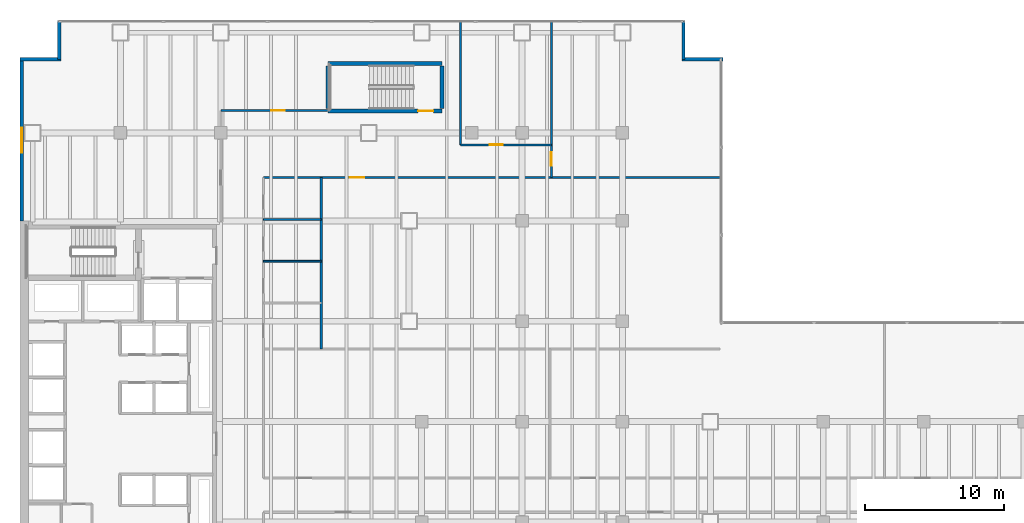
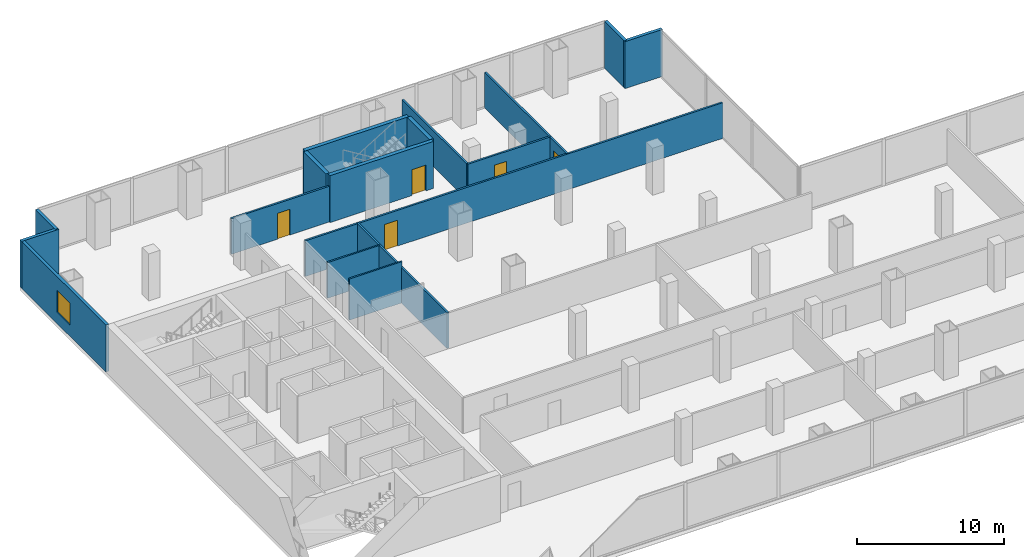
# One storey, part 25 of 29: 17 walls, 5 doors, 1 window, 6 openings.
"""IFC4 building model written with IfcOpenShell, lengths in metres."""

from ifc_helpers import new_model, si_unit, direction, frame, frame_2d, origin, place, context, subcontext, project, spatial, rectangle, extrude, material, layer, layer_set, type_object, element, fill, save


model = new_model("IFC4")

# Units and contexts
model_context = context("Model", 3, precision=1e-05, world=origin(), true_north=direction((0.0, 1.0)))
body_context = subcontext(model_context, "Body", "Model", "MODEL_VIEW")
ifc_project = project(units=[si_unit("LENGTHUNIT", "METRE"), si_unit("AREAUNIT", "SQUARE_METRE"), si_unit("VOLUMEUNIT", "CUBIC_METRE"), si_unit("PLANEANGLEUNIT", "RADIAN"), si_unit("MASSUNIT", "GRAM", prefix="KILO")], contexts=[model_context])

# Site, building, storey
site_placement = place(None, origin())
site = spatial("IfcSite", under=ifc_project, at=site_placement, CompositionType="ELEMENT")
building_placement = place(site_placement, origin())
building = spatial("IfcBuilding", under=site, at=building_placement, Name="Cobrela Telecom Tower", CompositionType="ELEMENT")
storey_placement = place(building_placement, frame((0.0, 0.0, 13.64990234375)))
storey = spatial("IfcBuildingStorey", under=building, at=storey_placement, Name="L03", CompositionType="ELEMENT", Elevation=13.64990234375)

# Wall, opening, window
ifc_material_1 = material(Name="Concrete C40/50", Category="concrete")
ifc_layer_1 = layer(ifc_material_1, 0.239990234375)
ifc_layer_set_1 = layer_set([ifc_layer_1], Name="Concrete C40/50")
wall_type_1 = type_object("IfcWallType", Name="WALL-EXT-300", PredefinedType="STANDARD", material=ifc_layer_set_1)
wall_1_placement = place(storey_placement, frame((0.1201171875, 36.0, 0.0), z_axis=(0.0, 0.0, 1.0), x_axis=(0.0, 1.0, 0.0)))
wall_1 = element("IfcWall", 1, at=wall_1_placement, inside=storey, type_object=wall_type_1, Name="L03 Insulated Facade Wall 04", PredefinedType="STANDARD", context=body_context, shape_type="SweptSolid", body=[
    extrude(rectangle(XDim=11.580078125, YDim=0.239990234375, at=frame_2d((5.7900390625, 0.0))), origin(), (0.0, 0.0, 1.0), 3.91015625),
])
opening_1_placement = place(wall_1_placement, frame((4.889892578125, 0.0, 0.949951171875)))
opening_1 = element("IfcOpeningElement", 2, at=opening_1_placement, cuts=wall_1, Name="Opening WN-13", PredefinedType="OPENING", context=body_context, shape_type="SweptSolid", body=[
    extrude(rectangle(XDim=1.800048828125, YDim=1.800048828125, at=frame_2d((0.89990234375, 0.89990234375))), frame((0.0, 0.1318359375, 0.0), z_axis=(0.0, -1.0, 0.0), x_axis=(1.0, 0.0, 0.0)), (0.0, 0.0, 1.0), 0.263916015625),
])
ifc_material_2 = material(Name="Solar-Control Bronze Low-E Glass", Category="glass")
window_type = type_object("IfcWindowType", Name="WIN-MOD-1800", PartitioningType="SINGLE_PANEL", PredefinedType="WINDOW", material=ifc_material_2)
window_placement = place(opening_1_placement, origin())
window = element("IfcWindow", 3, at=window_placement, inside=storey, type_object=window_type, Name="L03 Modular Punched Facade Window 016", OverallHeight=1.800048828125, OverallWidth=1.800048828125, PartitioningType="SINGLE_PANEL", PredefinedType="WINDOW", context=body_context, shape_type="SweptSolid", body=[
    extrude(rectangle(XDim=1.800048828125, YDim=1.800048828125, at=frame_2d((0.89990234375, 0.89990234375))), frame((0.0, 0.030029296875, 0.0), z_axis=(0.0, -1.0, 0.0), x_axis=(1.0, 0.0, 0.0)), (0.0, 0.0, 1.0), 0.06005859375),
])
fill(opening_1, window)

# Walls
wall_2_placement = place(storey_placement, frame((0.0, 47.580078125, 0.0), z_axis=(0.0, 0.0, 1.0), x_axis=(1.0, 0.0, 0.0)))
element("IfcWall", 4, at=wall_2_placement, inside=storey, type_object=wall_type_1, Name="L03 Insulated Facade Wall 05", PredefinedType="STANDARD", context=body_context, shape_type="SweptSolid", body=[
    extrude(rectangle(XDim=2.93994140625, YDim=0.239990234375, at=frame_2d((1.469970703125, 0.0))), origin(), (0.0, 0.0, 1.0), 3.91015625),
])
for number, where, z_axis, x_axis, name in (
    (5, (2.820068359375, 47.580078125, 0.0), (0.0, 0.0, 1.0), (0.0, 1.0, 0.0), "L03 Insulated Facade Wall 06"),
    (6, (47.580078125, 50.280029296875, 0.0), (0.0, 0.0, 1.0), (0.0, -1.0, 0.0), "L03 Insulated Facade Wall 08"),
):
    element("IfcWall", number, at=place(storey_placement, frame(where, z_axis=z_axis, x_axis=x_axis)), inside=storey, type_object=wall_type_1, Name=name, PredefinedType="STANDARD", context=body_context, shape_type="SweptSolid", body=[
        extrude(rectangle(XDim=2.699951171875, YDim=0.239990234375, at=frame_2d((1.35009765625, 0.0))), origin(), (0.0, 0.0, 1.0), 3.91015625),
    ])
wall_3_placement = place(storey_placement, frame((47.4599609375, 47.580078125, 0.0), z_axis=(0.0, 0.0, 1.0), x_axis=(1.0, 0.0, 0.0)))
element("IfcWall", 7, at=wall_3_placement, inside=storey, type_object=wall_type_1, Name="L03 Insulated Facade Wall 09", PredefinedType="STANDARD", context=body_context, shape_type="SweptSolid", body=[
    extrude(rectangle(XDim=2.93994140625, YDim=0.239990234375, at=frame_2d((1.469970703125, 0.0))), origin(), (0.0, 0.0, 1.0), 3.91015625),
])
ifc_material_3 = material(Name="Fire-Rated Gypsum Plasterboard")
ifc_layer_2 = layer(ifc_material_3, 0.125)
ifc_layer_set_2 = layer_set([ifc_layer_2], Name="Fire-Rated Gypsum Plasterboard")
wall_type_2 = type_object("IfcWallType", Name="WALL-PART-125", PredefinedType="PARTITIONING", material=ifc_layer_set_2)
wall_4_placement = place(storey_placement, frame((17.449951171875, 36.10009765625, 0.0), z_axis=(0.0, 0.0, 1.0), x_axis=(1.0, 0.0, 0.0)))
element("IfcWall", 8, at=wall_4_placement, inside=storey, type_object=wall_type_2, Name="L03 Interior Partition W-PWC-1", PredefinedType="PARTITIONING", context=body_context, shape_type="SweptSolid", body=[
    extrude(rectangle(XDim=4.150146484375, YDim=0.125, at=frame_2d((2.0751953125, 0.0))), origin(), (0.0, 0.0, 1.0), 2.968017578125),
])
wall_5_placement = place(storey_placement, frame((17.449951171875, 33.10009765625, 0.0), z_axis=(0.0, 0.0, 1.0), x_axis=(1.0, 0.0, 0.0)))
element("IfcWall", 9, at=wall_5_placement, inside=storey, type_object=wall_type_2, Name="L03 Interior Partition W-PWC-2", PredefinedType="PARTITIONING", context=body_context, shape_type="SweptSolid", body=[
    extrude(rectangle(XDim=4.150146484375, YDim=0.125, at=frame_2d((2.0751953125, 0.0))), origin(), (0.0, 0.0, 1.0), 3.427978515625),
])

# Wall, opening, door
ifc_layer_3 = layer(ifc_material_3, 0.14990234375)
ifc_layer_set_3 = layer_set([ifc_layer_3], Name="Fire-Rated Gypsum Plasterboard")
wall_type_3 = type_object("IfcWallType", Name="WALL-PART-150", PredefinedType="PARTITIONING", material=ifc_layer_set_3)
wall_6_placement = place(storey_placement, frame((14.39990234375, 43.89990234375, 0.0), z_axis=(0.0, 0.0, 1.0), x_axis=(1.0, 0.0, 0.0)))
wall_6 = element("IfcWall", 10, at=wall_6_placement, inside=storey, type_object=wall_type_3, Name="L03 Interior Partition W-PC-N1", PredefinedType="PARTITIONING", context=body_context, shape_type="SweptSolid", body=[
    extrude(rectangle(XDim=7.7001953125, YDim=0.14990234375, at=frame_2d((3.85009765625, 0.0))), origin(), (0.0, 0.0, 1.0), 2.968017578125),
])
opening_2_placement = place(wall_6_placement, frame((3.60009765625, 0.0, 0.0)))
opening_2 = element("IfcOpeningElement", 11, at=opening_2_placement, cuts=wall_6, Name="Opening DR-31", PredefinedType="OPENING", context=body_context, shape_type="SweptSolid", body=[
    extrude(rectangle(XDim=1.0, YDim=2.14990234375, at=frame_2d((0.5, 1.074951171875))), frame((0.0, 0.0869140625, 0.0), z_axis=(0.0, -1.0, 0.0), x_axis=(1.0, 0.0, 0.0)), (0.0, 0.0, 1.0), 0.173828125),
])
ifc_material_4 = material(Name="Solid Engineered Oak Timber", Category="wood")
door_type_1 = type_object("IfcDoorType", Name="DOOR-INT-1000", OperationType="SINGLE_SWING_LEFT", PredefinedType="DOOR", material=ifc_material_4)
door_1_placement = place(opening_2_placement, origin())
door_1 = element("IfcDoor", 12, at=door_1_placement, inside=storey, type_object=door_type_1, Name="L03 Door DR-31", OperationType="SINGLE_SWING_LEFT", OverallHeight=2.14990234375, OverallWidth=1.0, PredefinedType="DOOR", context=body_context, shape_type="SweptSolid", body=[
    extrude(rectangle(XDim=1.0, YDim=2.14990234375, at=frame_2d((0.5, 1.074951171875))), frame((0.0, 0.02490234375, 0.0), z_axis=(0.0, -1.0, 0.0), x_axis=(1.0, 0.0, 0.0)), (0.0, 0.0, 1.0), 0.050048828125),
])
fill(opening_2, door_1)

wall_7_placement = place(storey_placement, frame((31.60009765625, 41.449951171875, 0.0), z_axis=(0.0, 0.0, 1.0), x_axis=(1.0, 0.0, 0.0)))
wall_7 = element("IfcWall", 13, at=wall_7_placement, inside=storey, type_object=wall_type_3, Name="L03 Interior Partition W-PC-N2C", PredefinedType="PARTITIONING", context=body_context, shape_type="SweptSolid", body=[
    extrude(rectangle(XDim=6.5, YDim=0.14990234375, at=frame_2d((3.25, 0.0))), origin(), (0.0, 0.0, 1.0), 2.968017578125),
])
opening_3_placement = place(wall_7_placement, frame((2.080078125, 0.0, 0.0)))
opening_3 = element("IfcOpeningElement", 14, at=opening_3_placement, cuts=wall_7, Name="Opening DR-67", PredefinedType="OPENING", context=body_context, shape_type="SweptSolid", body=[
    extrude(rectangle(XDim=0.949951171875, YDim=2.14990234375, at=frame_2d((0.47509765625, 1.074951171875))), frame((0.0, 0.0869140625, 0.0), z_axis=(0.0, -1.0, 0.0), x_axis=(1.0, 0.0, 0.0)), (0.0, 0.0, 1.0), 0.173828125),
])
door_type_2 = type_object("IfcDoorType", Name="DOOR-INT-950", OperationType="SINGLE_SWING_LEFT", PredefinedType="DOOR", material=ifc_material_4)
door_2_placement = place(opening_3_placement, origin())
door_2 = element("IfcDoor", 15, at=door_2_placement, inside=storey, type_object=door_type_2, Name="L03 Door DR-67", OperationType="SINGLE_SWING_RIGHT", OverallHeight=2.14990234375, OverallWidth=0.949951171875, PredefinedType="DOOR", context=body_context, shape_type="SweptSolid", body=[
    extrude(rectangle(XDim=0.949951171875, YDim=2.14990234375, at=frame_2d((0.47509765625, 1.074951171875))), frame((0.0, 0.02490234375, 0.0), z_axis=(0.0, -1.0, 0.0), x_axis=(1.0, 0.0, 0.0)), (0.0, 0.0, 1.0), 0.050048828125),
])
fill(opening_3, door_2)

wall_8_placement = place(storey_placement, frame((17.449951171875, 39.10009765625, 0.0), z_axis=(0.0, 0.0, 1.0), x_axis=(1.0, 0.0, 0.0)))
wall_8 = element("IfcWall", 16, at=wall_8_placement, inside=storey, type_object=wall_type_3, Name="L03 Interior Partition W-PC-N2B", PredefinedType="PARTITIONING", context=body_context, shape_type="SweptSolid", body=[
    extrude(rectangle(XDim=32.830078125, YDim=0.14990234375, at=frame_2d((16.4150390625, 0.0))), origin(), (0.0, 0.0, 1.0), 2.968017578125),
])
opening_4_placement = place(wall_8_placement, frame((6.199951171875, 0.0, 0.0)))
opening_4 = element("IfcOpeningElement", 17, at=opening_4_placement, cuts=wall_8, Name="Opening DR-29", PredefinedType="OPENING", context=body_context, shape_type="SweptSolid", body=[
    extrude(rectangle(XDim=1.050048828125, YDim=2.14990234375, at=frame_2d((0.52490234375, 1.074951171875))), frame((0.0, 0.0869140625, 0.0), z_axis=(0.0, -1.0, 0.0), x_axis=(1.0, 0.0, 0.0)), (0.0, 0.0, 1.0), 0.173828125),
])
door_type_3 = type_object("IfcDoorType", Name="DOOR-INT-1050", OperationType="SINGLE_SWING_LEFT", PredefinedType="DOOR", material=ifc_material_4)
door_3_placement = place(opening_4_placement, origin())
door_3 = element("IfcDoor", 18, at=door_3_placement, inside=storey, type_object=door_type_3, Name="L03 Door DR-29", OperationType="SINGLE_SWING_RIGHT", OverallHeight=2.14990234375, OverallWidth=1.050048828125, PredefinedType="DOOR", context=body_context, shape_type="SweptSolid", body=[
    extrude(rectangle(XDim=1.050048828125, YDim=2.14990234375, at=frame_2d((0.52490234375, 1.074951171875))), frame((0.0, 0.02490234375, 0.0), z_axis=(0.0, -1.0, 0.0), x_axis=(1.0, 0.0, 0.0)), (0.0, 0.0, 1.0), 0.050048828125),
])
fill(opening_4, door_3)

# Wall
wall_9_placement = place(storey_placement, frame((31.60009765625, 41.449951171875, 0.0), z_axis=(0.0, 0.0, 1.0), x_axis=(0.0, 1.0, 0.0)))
element("IfcWall", 19, at=wall_9_placement, inside=storey, type_object=wall_type_3, Name="L03 Interior Partition W-PC-N3M", PredefinedType="PARTITIONING", context=body_context, shape_type="SweptSolid", body=[
    extrude(rectangle(XDim=8.830078125, YDim=0.14990234375, at=frame_2d((4.4150390625, 0.0))), origin(), (0.0, 0.0, 1.0), 2.968017578125),
])

# Wall, opening, door
wall_10_placement = place(storey_placement, frame((38.10009765625, 39.10009765625, 0.0), z_axis=(0.0, 0.0, 1.0), x_axis=(0.0, 1.0, 0.0)))
wall_10 = element("IfcWall", 20, at=wall_10_placement, inside=storey, type_object=wall_type_3, Name="L03 Interior Partition W-PC-N3E", PredefinedType="PARTITIONING", context=body_context, shape_type="SweptSolid", body=[
    extrude(rectangle(XDim=11.179931640625, YDim=0.14990234375, at=frame_2d((5.58984375, 0.0))), origin(), (0.0, 0.0, 1.0), 2.968017578125),
])
opening_5_placement = place(wall_10_placement, frame((0.85009765625, 0.0, 0.0)))
opening_5 = element("IfcOpeningElement", 21, at=opening_5_placement, cuts=wall_10, Name="Opening DR-67", PredefinedType="OPENING", context=body_context, shape_type="SweptSolid", body=[
    extrude(rectangle(XDim=0.949951171875, YDim=2.14990234375, at=frame_2d((0.47509765625, 1.074951171875))), frame((0.0, 0.0869140625, 0.0), z_axis=(0.0, -1.0, 0.0), x_axis=(1.0, 0.0, 0.0)), (0.0, 0.0, 1.0), 0.173828125),
])
door_4_placement = place(opening_5_placement, origin())
door_4 = element("IfcDoor", 22, at=door_4_placement, inside=storey, type_object=door_type_2, Name="L03 Door DR-67", OperationType="SINGLE_SWING_LEFT", OverallHeight=2.14990234375, OverallWidth=0.949951171875, PredefinedType="DOOR", context=body_context, shape_type="SweptSolid", body=[
    extrude(rectangle(XDim=0.949951171875, YDim=2.14990234375, at=frame_2d((0.47509765625, 1.074951171875))), frame((0.0, 0.02490234375, 0.0), z_axis=(0.0, -1.0, 0.0), x_axis=(1.0, 0.0, 0.0)), (0.0, 0.0, 1.0), 0.050048828125),
])
fill(opening_5, door_4)

# Wall
wall_11_placement = place(storey_placement, frame((21.60009765625, 26.800048828125, 0.0), z_axis=(0.0, 0.0, 1.0), x_axis=(0.0, 1.0, 0.0)))
element("IfcWall", 23, at=wall_11_placement, inside=storey, type_object=wall_type_3, Name="L03 Interior Partition W-PWC-E", PredefinedType="PARTITIONING", context=body_context, shape_type="SweptSolid", body=[
    extrude(rectangle(XDim=12.300048828125, YDim=0.14990234375, at=frame_2d((6.14990234375, 0.0))), origin(), (0.0, 0.0, 1.0), 2.968017578125),
])

# Wall, opening, door
ifc_layer_4 = layer(ifc_material_1, 0.39990234375)
ifc_layer_set_4 = layer_set([ifc_layer_4], Name="Concrete C40/50")
wall_type_4 = type_object("IfcWallType", Name="WALL-SHAFT-C40-400", PredefinedType="SHEAR", material=ifc_layer_set_4)
wall_12_placement = place(storey_placement, frame((22.10009765625, 43.8798828125, 0.0), z_axis=(0.0, 0.0, 1.0), x_axis=(1.0, 0.0, 0.0)))
wall_12 = element("IfcWall", 24, at=wall_12_placement, inside=storey, type_object=wall_type_4, Name="L03 Podium Stair ST3 South Shear Wall", PredefinedType="SHEAR", context=body_context, shape_type="SweptSolid", body=[
    extrude(rectangle(XDim=8.14990234375, YDim=0.300048828125, at=frame_2d((4.074951171875, 0.0))), origin(), (0.0, 0.0, 1.0), 3.91015625),
])
opening_6_placement = place(wall_12_placement, frame((6.449951171875, 0.0, 0.0)))
opening_6 = element("IfcOpeningElement", 25, at=opening_6_placement, cuts=wall_12, Name="Opening FD-90", PredefinedType="OPENING", context=body_context, shape_type="SweptSolid", body=[
    extrude(rectangle(XDim=1.10009765625, YDim=2.14990234375, at=frame_2d((0.550048828125, 1.074951171875))), frame((0.0, 0.162109375, 0.0), z_axis=(0.0, -1.0, 0.0), x_axis=(1.0, 0.0, 0.0)), (0.0, 0.0, 1.0), 0.323974609375),
])
ifc_material_5 = material(Name="Steel ASTM A36", Category="steel")
door_type_4 = type_object("IfcDoorType", Name="DOOR-FD90-1100", OperationType="SINGLE_SWING_LEFT", PredefinedType="DOOR", material=ifc_material_5)
door_5_placement = place(opening_6_placement, origin())
door_5 = element("IfcDoor", 26, at=door_5_placement, inside=storey, type_object=door_type_4, Name="L03 Door FD-90", OperationType="SINGLE_SWING_LEFT", OverallHeight=2.14990234375, OverallWidth=1.10009765625, PredefinedType="DOOR", context=body_context, shape_type="SweptSolid", body=[
    extrude(rectangle(XDim=1.10009765625, YDim=2.14990234375, at=frame_2d((0.550048828125, 1.074951171875))), frame((0.0, 0.02490234375, 0.0), z_axis=(0.0, -1.0, 0.0), x_axis=(1.0, 0.0, 0.0)), (0.0, 0.0, 1.0), 0.050048828125),
])
fill(opening_6, door_5)

# Walls
wall_13_placement = place(storey_placement, frame((22.10009765625, 47.27001953125, 0.0), z_axis=(0.0, 0.0, 1.0), x_axis=(1.0, 0.0, 0.0)))
element("IfcWall", 27, at=wall_13_placement, inside=storey, type_object=wall_type_4, Name="L03 Podium Stair ST3 North Shear Wall", PredefinedType="SHEAR", context=body_context, shape_type="SweptSolid", body=[
    extrude(rectangle(XDim=8.14990234375, YDim=0.300048828125, at=frame_2d((4.074951171875, 0.0))), origin(), (0.0, 0.0, 1.0), 3.91015625),
])
for number, where, z_axis, x_axis, name in (
    (28, (22.10009765625, 44.050048828125, 0.0), (0.0, 0.0, 1.0), (0.0, 1.0, 0.0), "L03 Podium Stair ST3 West Shear Wall"),
    (29, (30.25, 44.050048828125, 0.0), (0.0, 0.0, 1.0), (0.0, 1.0, 0.0), "L03 Podium Stair ST3 East Shear Wall"),
):
    element("IfcWall", number, at=place(storey_placement, frame(where, z_axis=z_axis, x_axis=x_axis)), inside=storey, type_object=wall_type_4, Name=name, PredefinedType="SHEAR", context=body_context, shape_type="SweptSolid", body=[
        extrude(rectangle(XDim=3.050048828125, YDim=0.300048828125, at=frame_2d((1.52490234375, 0.0))), origin(), (0.0, 0.0, 1.0), 3.91015625),
    ])

save(model, "model.ifc")
